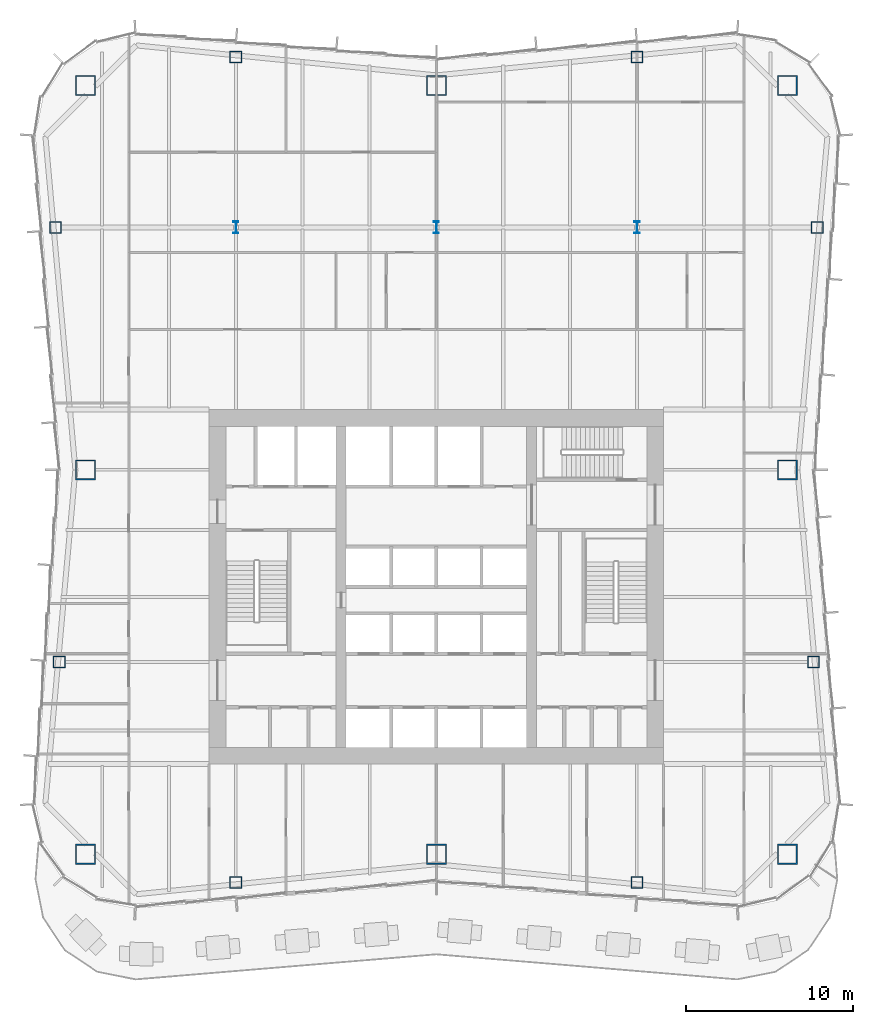
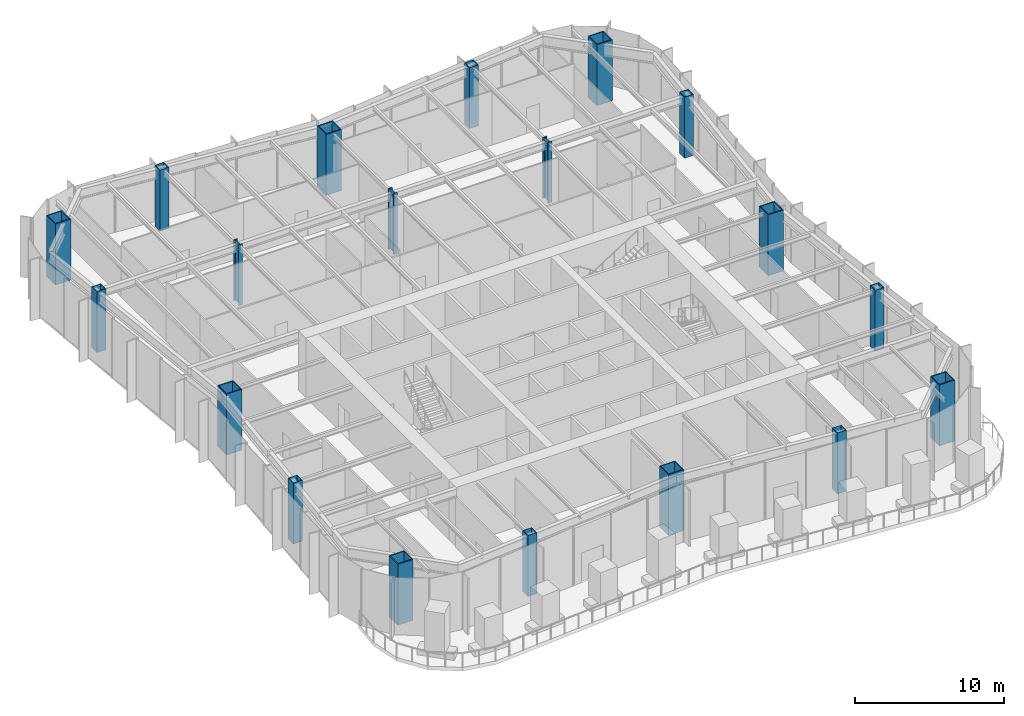
# One storey, part 1 of 15: 19 columns.
"""IFC4 building model written with IfcOpenShell, lengths in metres."""

from ifc_helpers import new_model, si_unit, direction, frame, origin, origin_2d, place, context, subcontext, project, spatial, hollow_rectangle, i_section, extrude, material, material_profile, profile_set, type_object, element, save


model = new_model("IFC4")

# Units and contexts
model_context = context("Model", 3, precision=1e-05, world=origin(), true_north=direction((0.0, 1.0)))
body_context = subcontext(model_context, "Body", "Model", "MODEL_VIEW")
ifc_project = project(units=[si_unit("LENGTHUNIT", "METRE"), si_unit("AREAUNIT", "SQUARE_METRE"), si_unit("VOLUMEUNIT", "CUBIC_METRE"), si_unit("PLANEANGLEUNIT", "RADIAN"), si_unit("MASSUNIT", "GRAM", prefix="KILO")], contexts=[model_context])

# Site, building, storey
site_placement = place(None, origin())
site = spatial("IfcSite", under=ifc_project, at=site_placement, CompositionType="ELEMENT")
building_placement = place(site_placement, origin())
building = spatial("IfcBuilding", under=site, at=building_placement, Name="Verdant Reach Tower", CompositionType="ELEMENT")
storey_placement = place(building_placement, frame((0.0, 0.0, 121.0)))
storey = spatial("IfcBuildingStorey", under=building, at=storey_placement, Name="L27", CompositionType="ELEMENT", Elevation=121.0)

# Columns
ifc_material = material(Name="Steel S460", Category="steel")
ifc_material_profile_1 = material_profile(ifc_material, i_section(OverallWidth=0.30810546875, OverallDepth=0.716064453125, WebThickness=0.02099609375, FlangeThickness=0.0400390625, FilletRadius=0.027099609375, at=origin_2d()), Name="HEM 700")
ifc_profile_set_1 = profile_set([ifc_material_profile_1], Name="Steel S460")
column_type_1 = type_object("IfcColumnType", Name="ST-COL-HEM700", PredefinedType="COLUMN", material=ifc_profile_set_1)
for number, where, z_axis, x_axis, name in (
    (1, (-12.0, 49.5, 0.0), (0.0, 0.0, 1.0), (1.0, 0.0, 0.0), "Interior column 1, L27"),
    (2, (0.0, 49.5, 0.0), (0.0, 0.0, 1.0), (1.0, 0.0, 0.0), "Interior column 2, L27"),
    (3, (12.0, 49.5, 0.0), (0.0, 0.0, 1.0), (1.0, 0.0, 0.0), "Interior column 3, L27"),
):
    element("IfcColumn", number, at=place(storey_placement, frame(where, z_axis=z_axis, x_axis=x_axis)), inside=storey, type_object=column_type_1, Name=name, PredefinedType="COLUMN", context=body_context, shape_type="SweptSolid", body=[
        extrude(i_section(OverallWidth=0.30810546875, OverallDepth=0.716064453125, WebThickness=0.02099609375, FlangeThickness=0.0400390625, FilletRadius=0.027099609375, at=origin_2d()), origin(), (0.0, 0.0, 1.0), 5.0),
    ])
ifc_material_profile_2 = material_profile(ifc_material, hollow_rectangle(XDim=1.199951171875, YDim=1.199951171875, WallThickness=0.070068359375, at=origin_2d()), Name="WB 1200x1200x70")
ifc_profile_set_2 = profile_set([ifc_material_profile_2], Name="Steel S460")
column_type_2 = type_object("IfcColumnType", Name="ST-COL-WB1200x1200x70", PredefinedType="COLUMN", material=ifc_profile_set_2)
for number, where, z_axis, x_axis, name in (
    (4, (-21.0, 58.0, 0.0), (0.0, 0.0, 1.0), (1.0, 0.0, 0.0), "Mega column north-west, L27"),
    (5, (0.0, 58.0, 0.0), (0.0, 0.0, 1.0), (1.0, 0.0, 0.0), "Mega column north, L27"),
    (6, (21.0, 58.0, 0.0), (0.0, 0.0, 1.0), (1.0, 0.0, 0.0), "Mega column north-east, L27"),
    (7, (21.0, 35.0, 0.0), (0.0, 0.0, 1.0), (1.0, 0.0, 0.0), "Mega column east, L27"),
    (8, (21.0, 12.0, 0.0), (0.0, 0.0, 1.0), (1.0, 0.0, 0.0), "Mega column south-east, L27"),
    (9, (0.0, 12.0, 0.0), (0.0, 0.0, 1.0), (1.0, 0.0, 0.0), "Mega column south, L27"),
    (10, (-21.0, 12.0, 0.0), (0.0, 0.0, 1.0), (1.0, 0.0, 0.0), "Mega column south-west, L27"),
    (11, (-21.0, 35.0, 0.0), (0.0, 0.0, 1.0), (1.0, 0.0, 0.0), "Mega column west, L27"),
):
    element("IfcColumn", number, at=place(storey_placement, frame(where, z_axis=z_axis, x_axis=x_axis)), inside=storey, type_object=column_type_2, Name=name, PredefinedType="COLUMN", context=body_context, shape_type="SweptSolid", body=[
        extrude(hollow_rectangle(XDim=1.199951171875, YDim=1.199951171875, WallThickness=0.070068359375, at=origin_2d()), origin(), (0.0, 0.0, 1.0), 5.0),
    ])
ifc_material_profile_3 = material_profile(ifc_material, hollow_rectangle(XDim=0.699951171875, YDim=0.699951171875, WallThickness=0.030029296875, at=origin_2d()), Name="WB 700x700x30")
ifc_profile_set_3 = profile_set([ifc_material_profile_3], Name="Steel S460")
column_type_3 = type_object("IfcColumnType", Name="ST-COL-WB700x700x30", PredefinedType="COLUMN", material=ifc_profile_set_3)
for number, where, z_axis, x_axis, name in (
    (12, (-12.0, 59.699951171875, 0.0), (0.0, 0.0, 1.0), (1.0, 0.0, 0.0), "Perimeter column north 1, L27"),
    (13, (12.0, 59.699951171875, 0.0), (0.0, 0.0, 1.0), (1.0, 0.0, 0.0), "Perimeter column north 2, L27"),
    (14, (-12.0, 10.300048828125, 0.0), (0.0, 0.0, 1.0), (1.0, 0.0, 0.0), "Perimeter column south 1, L27"),
    (15, (12.0, 10.300048828125, 0.0), (0.0, 0.0, 1.0), (1.0, 0.0, 0.0), "Perimeter column south 2, L27"),
    (16, (22.5625, 23.5, 0.0), (0.0, 0.0, 1.0), (1.0, 0.0, 0.0), "Perimeter column east 1, L27"),
    (17, (22.78759765625, 49.5, 0.0), (0.0, 0.0, 1.0), (1.0, 0.0, 0.0), "Perimeter column east 2, L27"),
    (18, (-22.5625, 23.5, 0.0), (0.0, 0.0, 1.0), (1.0, 0.0, 0.0), "Perimeter column west 1, L27"),
    (19, (-22.78759765625, 49.5, 0.0), (0.0, 0.0, 1.0), (1.0, 0.0, 0.0), "Perimeter column west 2, L27"),
):
    element("IfcColumn", number, at=place(storey_placement, frame(where, z_axis=z_axis, x_axis=x_axis)), inside=storey, type_object=column_type_3, Name=name, PredefinedType="COLUMN", context=body_context, shape_type="SweptSolid", body=[
        extrude(hollow_rectangle(XDim=0.699951171875, YDim=0.699951171875, WallThickness=0.030029296875, at=origin_2d()), origin(), (0.0, 0.0, 1.0), 5.0),
    ])

save(model, "model.ifc")
